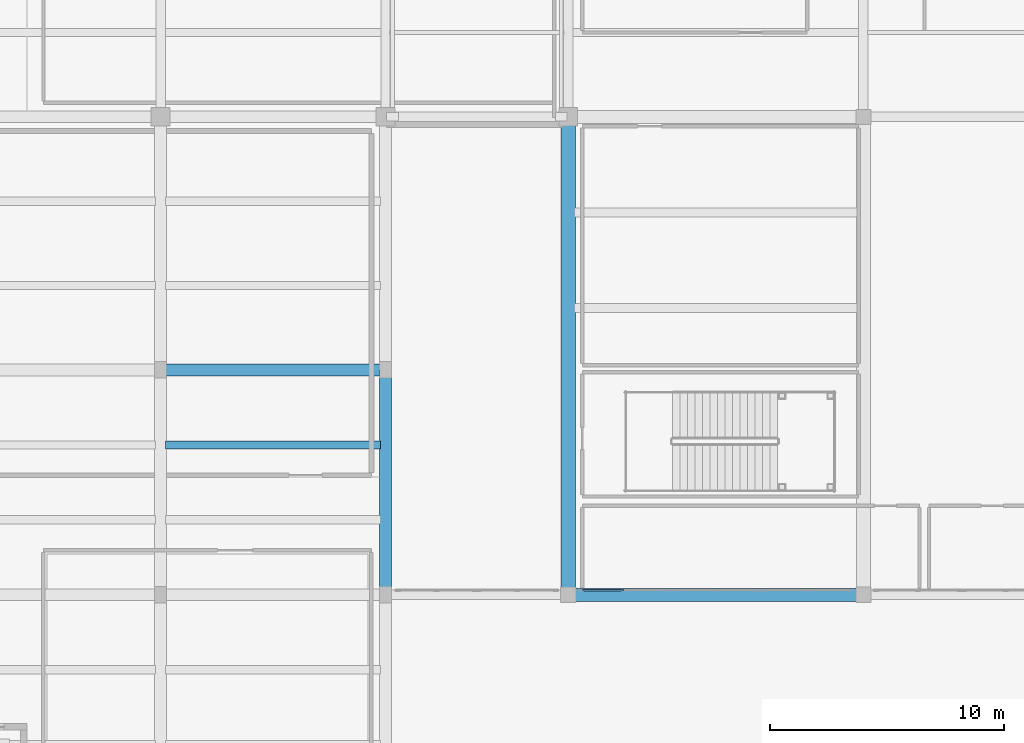
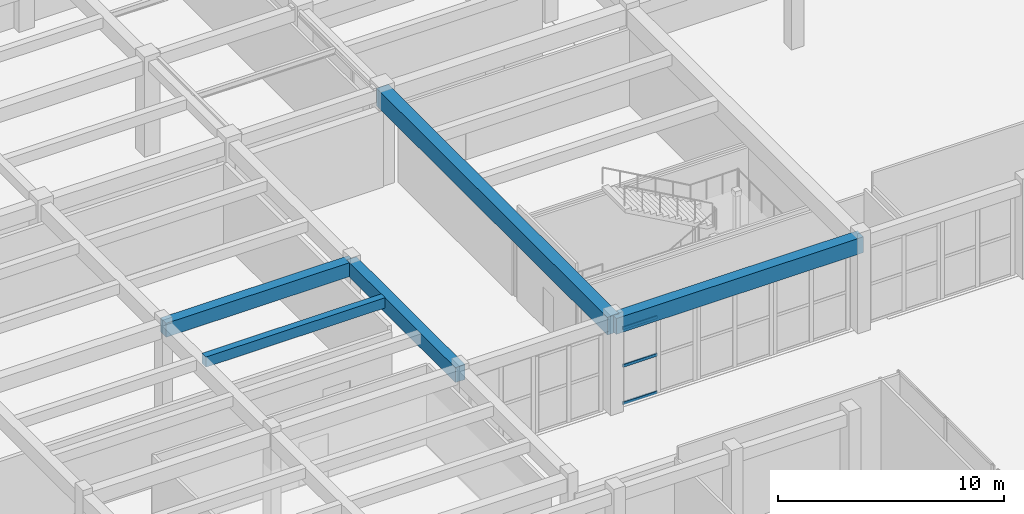
# One storey, part 19 of 98: 5 beams, 3 members, 1 element without a shape of its own.
"""IFC4 building model written with IfcOpenShell, lengths in metres."""

from ifc_helpers import new_model, si_unit, direction, frame, origin, origin_2d, place, context, subcontext, project, spatial, rectangle, hollow_rectangle, extrude, material, layer, layer_set, material_profile, profile_set, type_object, element, aggregate, save


model = new_model("IFC4")

# Units and contexts
model_context = context("Model", 3, precision=1e-05, world=origin(), true_north=direction((0.0, 1.0)))
body_context = subcontext(model_context, "Body", "Model", "MODEL_VIEW")
ifc_project = project(units=[si_unit("LENGTHUNIT", "METRE"), si_unit("AREAUNIT", "SQUARE_METRE"), si_unit("VOLUMEUNIT", "CUBIC_METRE"), si_unit("PLANEANGLEUNIT", "RADIAN"), si_unit("MASSUNIT", "GRAM", prefix="KILO")], contexts=[model_context])

# Site, building, storey
site_placement = place(None, origin())
site = spatial("IfcSite", under=ifc_project, at=site_placement, CompositionType="ELEMENT")
building_placement = place(site_placement, origin())
building = spatial("IfcBuilding", under=site, at=building_placement, Name="Tarnavel Promenade Courthouse", CompositionType="ELEMENT")
storey_placement = place(building_placement, origin())
storey = spatial("IfcBuildingStorey", under=building, at=storey_placement, Name="L01", CompositionType="ELEMENT", Elevation=0.0)

# Beams
ifc_material_1 = material(Name="Concrete C40/50", Category="concrete")
ifc_material_profile_1 = material_profile(ifc_material_1, rectangle(XDim=0.35009765625, YDim=0.550048828125, at=origin_2d()), Name="PT 350x550")
ifc_profile_set_1 = profile_set([ifc_material_profile_1], Name="Concrete C40/50")
beam_type_1 = type_object("IfcBeamType", Name="Concrete C40/50 BM-PT-350x550 (PT 350x550)", PredefinedType="JOIST", material=ifc_profile_set_1)
beam_1_placement = place(storey_placement, frame((29.02001953125, 53.199951171875, 4.820068359375), z_axis=(1.0, 0.0, 0.0), x_axis=(0.0, 1.0, 0.0)))
element("IfcBeam", 1, at=beam_1_placement, inside=storey, type_object=beam_type_1, Name="L01 Secondary Floor Rib 0920", PredefinedType="JOIST", context=body_context, shape_type="SweptSolid", body=[
    extrude(rectangle(XDim=0.35009765625, YDim=0.550048828125, at=origin_2d()), origin(), (0.0, 0.0, 1.0), 9.159912109375),
])
ifc_material_profile_2 = material_profile(ifc_material_1, rectangle(XDim=0.5, YDim=0.800048828125, at=origin_2d()), Name="PT 500x800")
ifc_profile_set_2 = profile_set([ifc_material_profile_2], Name="Concrete C40/50")
beam_type_2 = type_object("IfcBeamType", Name="Concrete C40/50 BM-PT-500x800 (PT 500x800)", PredefinedType="T_BEAM", material=ifc_profile_set_2)
beam_2_placement = place(storey_placement, frame((38.39990234375, 46.800048828125, 4.695068359375), z_axis=(0.0, 1.0, 0.0), x_axis=(-1.0, 0.0, 0.0)))
element("IfcBeam", 2, at=beam_2_placement, inside=storey, type_object=beam_type_2, Name="L01 Transverse Girder 0773", PredefinedType="T_BEAM", context=body_context, shape_type="SweptSolid", body=[
    extrude(rectangle(XDim=0.5, YDim=0.800048828125, at=origin_2d()), origin(), (0.0, 0.0, 1.0), 9.599853515625),
])
ifc_material_profile_3 = material_profile(ifc_material_1, rectangle(XDim=0.550048828125, YDim=0.85009765625, at=origin_2d()), Name="PT 550x850")
ifc_profile_set_3 = profile_set([ifc_material_profile_3], Name="Concrete C40/50")
beam_type_3 = type_object("IfcBeamType", Name="Concrete C40/50 BM-PT-550x850 (PT 550x850)", PredefinedType="T_BEAM", material=ifc_profile_set_3)
beam_3_placement = place(storey_placement, frame((46.199951171875, 46.800048828125, 4.669921875), z_axis=(1.0, 0.0, 0.0), x_axis=(0.0, 1.0, 0.0)))
element("IfcBeam", 3, at=beam_3_placement, inside=storey, type_object=beam_type_3, Name="L01 Primary Longitudinal Beam 0619", PredefinedType="T_BEAM", context=body_context, shape_type="SweptSolid", body=[
    extrude(rectangle(XDim=0.550048828125, YDim=0.85009765625, at=origin_2d()), origin(), (0.0, 0.0, 1.0), 12.60009765625),
])
ifc_material_profile_4 = material_profile(ifc_material_1, rectangle(XDim=0.60009765625, YDim=0.949951171875, at=origin_2d()), Name="PT 600x950")
ifc_profile_set_4 = profile_set([ifc_material_profile_4], Name="Concrete C40/50")
beam_type_4 = type_object("IfcBeamType", Name="Concrete C40/50 BM-PT-600x950 (PT 600x950)", PredefinedType="T_BEAM", material=ifc_profile_set_4)
beam_4_placement = place(storey_placement, frame((46.199951171875, 46.800048828125, 4.6201171875), z_axis=(0.0, 1.0, 0.0), x_axis=(-1.0, 0.0, 0.0)))
element("IfcBeam", 4, at=beam_4_placement, inside=storey, type_object=beam_type_4, Name="L01 Transverse Girder 0779", PredefinedType="T_BEAM", context=body_context, shape_type="SweptSolid", body=[
    extrude(rectangle(XDim=0.60009765625, YDim=0.949951171875, at=origin_2d()), origin(), (0.0, 0.0, 1.0), 20.39990234375),
])
ifc_material_profile_5 = material_profile(ifc_material_1, rectangle(XDim=0.5, YDim=0.75, at=origin_2d()), Name="RC 500x750")
ifc_profile_set_5 = profile_set([ifc_material_profile_5], Name="Concrete C40/50")
beam_type_5 = type_object("IfcBeamType", Name="Concrete C40/50 BM-RC-500x750 (RC 500x750)", PredefinedType="T_BEAM", material=ifc_profile_set_5)
beam_5_placement = place(storey_placement, frame((28.800048828125, 56.39990234375, 4.719970703125), z_axis=(1.0, 0.0, 0.0), x_axis=(0.0, 1.0, 0.0)))
element("IfcBeam", 5, at=beam_5_placement, inside=storey, type_object=beam_type_5, Name="L01 Primary Longitudinal Beam 0629", PredefinedType="T_BEAM", context=body_context, shape_type="SweptSolid", body=[
    extrude(rectangle(XDim=0.5, YDim=0.75, at=origin_2d()), origin(), (0.0, 0.0, 1.0), 9.599853515625),
])

# Curtain wall, members
ifc_material_2 = material(Name="Thermally Broken Anodised Aluminium Curtain Wall System", Category="aluminium")
ifc_layer = layer(ifc_material_2, 0.239990234375)
ifc_layer_set = layer_set([ifc_layer], Name="Thermally Broken Anodised Aluminium Curtain Wall System")
curtain_wall_type = type_object("IfcCurtainWallType", Name="Thermally Broken Aluminium Triple-Glazed Curtain Wall CW-WG-S", PredefinedType="NOTDEFINED", material=ifc_layer_set)
curtain_wall_placement = place(storey_placement, origin())
curtain_wall = element("IfcCurtainWall", 6, at=curtain_wall_placement, inside=storey, type_object=curtain_wall_type, Name="L01 Winter-Garden South Solar Curtain Wall 044", PredefinedType="NOTDEFINED")
ifc_material_3 = material(Name="Thermally Broken Anodised Aluminium Frame", Category="aluminium")
ifc_material_profile_6 = material_profile(ifc_material_3, hollow_rectangle(XDim=0.080078125, YDim=0.159912109375, WallThickness=0.0048828125, InnerFilletRadius=0.0048828125, OuterFilletRadius=0.010009765625, at=origin_2d()), Name="CWT 160x80x5")
ifc_profile_set_6 = profile_set([ifc_material_profile_6], Name="Thermally Broken Anodised Aluminium Frame")
member_type = type_object("IfcMemberType", Name="Thermally Broken Anodised Aluminium CWT-145 (CWT 160x80x5)", PredefinedType="USERDEFINED", material=ifc_profile_set_6)
member_1_placement = place(storey_placement, frame((46.780029296875, 47.0, 0.0400390625), z_axis=(1.0, 0.0, 0.0), x_axis=(0.0, 1.0, 0.0)))
member_1 = element("IfcMember", 7, at=member_1_placement, type_object=member_type, Name="CW-02 transom 1.1", ObjectType="TRANSOM", PredefinedType="USERDEFINED", context=body_context, shape_type="SweptSolid", body=[
    extrude(hollow_rectangle(XDim=0.080078125, YDim=0.159912109375, WallThickness=0.0048828125, InnerFilletRadius=0.0048828125, OuterFilletRadius=0.010009765625, at=origin_2d()), origin(), (0.0, 0.0, 1.0), 1.77490234375),
])
member_2_placement = place(storey_placement, frame((46.780029296875, 47.0, 2.06494140625), z_axis=(1.0, 0.0, 0.0), x_axis=(0.0, 1.0, 0.0)))
member_2 = element("IfcMember", 8, at=member_2_placement, type_object=member_type, Name="CW-02 transom 1.2", ObjectType="TRANSOM", PredefinedType="USERDEFINED", context=body_context, shape_type="SweptSolid", body=[
    extrude(hollow_rectangle(XDim=0.080078125, YDim=0.159912109375, WallThickness=0.0048828125, InnerFilletRadius=0.0048828125, OuterFilletRadius=0.010009765625, at=origin_2d()), origin(), (0.0, 0.0, 1.0), 1.77490234375),
])
member_3_placement = place(storey_placement, frame((46.780029296875, 47.0, 4.090087890625), z_axis=(1.0, 0.0, 0.0), x_axis=(0.0, 1.0, 0.0)))
member_3 = element("IfcMember", 9, at=member_3_placement, type_object=member_type, Name="CW-02 transom 1.3", ObjectType="TRANSOM", PredefinedType="USERDEFINED", context=body_context, shape_type="SweptSolid", body=[
    extrude(hollow_rectangle(XDim=0.080078125, YDim=0.159912109375, WallThickness=0.0048828125, InnerFilletRadius=0.0048828125, OuterFilletRadius=0.010009765625, at=origin_2d()), origin(), (0.0, 0.0, 1.0), 1.77490234375),
])
aggregate(curtain_wall, [member_1, member_2, member_3])

save(model, "model.ifc")
